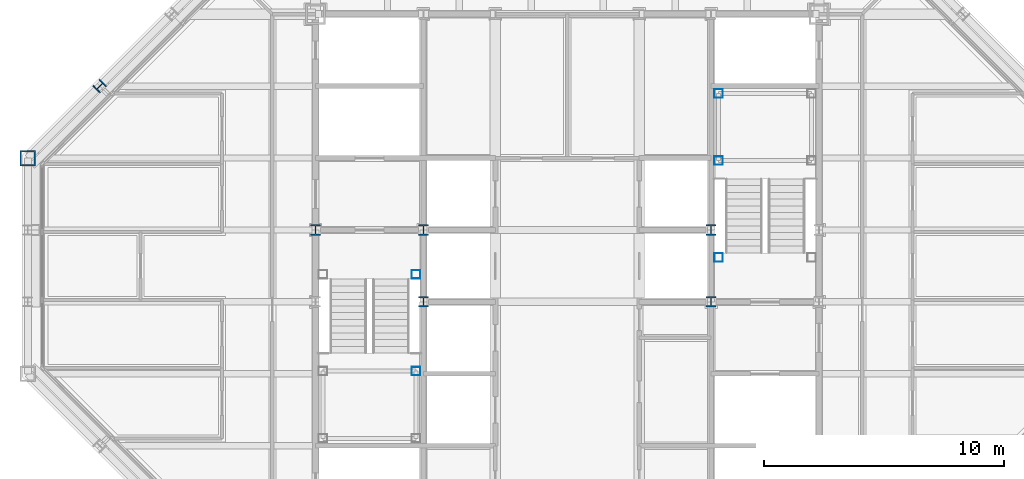
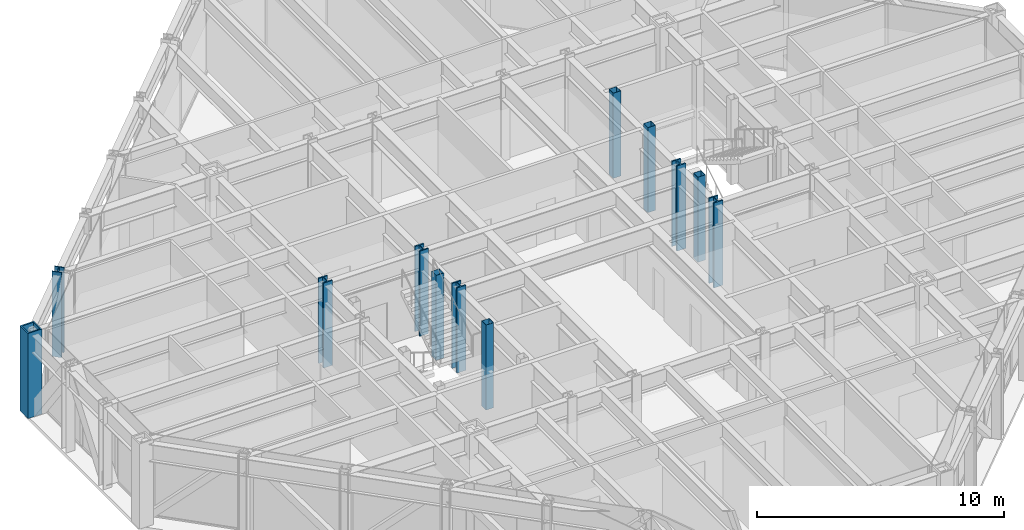
# One storey, part 2 of 15: 12 columns.
"""IFC4 building model written with IfcOpenShell, lengths in metres."""

from ifc_helpers import new_model, si_unit, direction, frame, origin, origin_2d, place, context, subcontext, project, spatial, hollow_rectangle, i_section, extrude, material, material_profile, profile_set, type_object, element, save


model = new_model("IFC4")

# Units and contexts
model_context = context("Model", 3, precision=1e-05, world=origin(), true_north=direction((0.0, 1.0)))
body_context = subcontext(model_context, "Body", "Model", "MODEL_VIEW")
ifc_project = project(units=[si_unit("LENGTHUNIT", "METRE"), si_unit("AREAUNIT", "SQUARE_METRE"), si_unit("VOLUMEUNIT", "CUBIC_METRE"), si_unit("PLANEANGLEUNIT", "RADIAN"), si_unit("MASSUNIT", "GRAM", prefix="KILO")], contexts=[model_context])

# Site, building, storey
site_placement = place(None, origin())
site = spatial("IfcSite", under=ifc_project, at=site_placement, CompositionType="ELEMENT")
building_placement = place(site_placement, origin())
building = spatial("IfcBuilding", under=site, at=building_placement, Name="Chuquiago Exchange Tower", CompositionType="ELEMENT")
storey_placement = place(building_placement, frame((0.0, 0.0, 295.800048828125)))
storey = spatial("IfcBuildingStorey", under=building, at=storey_placement, Name="L66", CompositionType="ELEMENT", Elevation=295.800048828125)

# Columns
ifc_material_1 = material(Name="Steel ASTM A992", Category="steel")
ifc_material_profile_1 = material_profile(ifc_material_1, i_section(OverallWidth=0.41650390625, OverallDepth=0.444580078125, WebThickness=0.0390625, FlangeThickness=0.062744140625, at=origin_2d()), Name="W14X342")
ifc_profile_set_1 = profile_set([ifc_material_profile_1], Name="Steel ASTM A992")
column_type_1 = type_object("IfcColumnType", Name="CC9 W14X342", PredefinedType="COLUMN", material=ifc_profile_set_1)
for number, where, z_axis, x_axis, name in (
    (1, (12.0, 24.0, 0.0), (0.0, 0.0, 1.0), (1.0, 0.0, 0.0), "CCOL-L66-12_24"),
    (2, (16.5, 21.0, 0.0), (0.0, 0.0, 1.0), (1.0, 0.0, 0.0), "CCOL-L66-16.5_21"),
    (3, (16.5, 24.0, 0.0), (0.0, 0.0, 1.0), (1.0, 0.0, 0.0), "CCOL-L66-16.5_24"),
    (4, (28.5, 21.0, 0.0), (0.0, 0.0, 1.0), (1.0, 0.0, 0.0), "CCOL-L66-28.5_21"),
    (5, (28.5, 24.0, 0.0), (0.0, 0.0, 1.0), (1.0, 0.0, 0.0), "CCOL-L66-28.5_24"),
):
    element("IfcColumn", number, at=place(storey_placement, frame(where, z_axis=z_axis, x_axis=x_axis)), inside=storey, type_object=column_type_1, Name=name, PredefinedType="COLUMN", context=body_context, shape_type="SweptSolid", body=[
        extrude(i_section(OverallWidth=0.41650390625, OverallDepth=0.444580078125, WebThickness=0.0390625, FlangeThickness=0.062744140625, at=origin_2d()), origin(), (0.0, 0.0, 1.0), 4.199951171875),
    ])
ifc_material_2 = material(Name="Steel ASTM A992", Category="steel")
ifc_material_profile_2 = material_profile(ifc_material_2, i_section(OverallWidth=0.40380859375, OverallDepth=0.406494140625, WebThickness=0.027099609375, FlangeThickness=0.043701171875, at=origin_2d()), Name="W14X233")
ifc_profile_set_2 = profile_set([ifc_material_profile_2], Name="Steel ASTM A992")
column_type_2 = type_object("IfcColumnType", Name="CK8 W14X233", PredefinedType="COLUMN", material=ifc_profile_set_2)
column_1_placement = place(storey_placement, frame((3.0, 30.0, 0.0), z_axis=(0.0, 0.0, 1.0), x_axis=(-0.707106781187, 0.707106781187, 0.0)))
element("IfcColumn", 6, at=column_1_placement, inside=storey, type_object=column_type_2, Name="COL-L66-3_30", PredefinedType="COLUMN", context=body_context, shape_type="SweptSolid", body=[
    extrude(i_section(OverallWidth=0.40380859375, OverallDepth=0.406494140625, WebThickness=0.027099609375, FlangeThickness=0.043701171875, at=origin_2d()), origin(), (0.0, 0.0, 1.0), 4.199951171875),
])
ifc_material_3 = material(Name="Steel ASTM A572 Grade 50", Category="steel")
ifc_material_profile_3 = material_profile(ifc_material_3, hollow_rectangle(XDim=0.64990234375, YDim=0.64990234375, WallThickness=0.06494140625, at=origin_2d()), Name="BOX650X650X65")
ifc_profile_set_3 = profile_set([ifc_material_profile_3], Name="Steel ASTM A572 Grade 50")
column_type_3 = type_object("IfcColumnType", Name="CN2 BOX650X650X65", PredefinedType="COLUMN", material=ifc_profile_set_3)
column_2_placement = place(storey_placement, frame((0.0, 27.0, 0.0), z_axis=(0.0, 0.0, 1.0), x_axis=(-1.0, 0.0, 0.0)))
element("IfcColumn", 7, at=column_2_placement, inside=storey, type_object=column_type_3, Name="COL-L66-0_27", PredefinedType="COLUMN", context=body_context, shape_type="SweptSolid", body=[
    extrude(hollow_rectangle(XDim=0.64990234375, YDim=0.64990234375, WallThickness=0.06494140625, at=origin_2d()), origin(), (0.0, 0.0, 1.0), 4.199951171875),
])
ifc_material_4 = material(Name="Steel ASTM A500 Grade C", Category="steel")
ifc_material_profile_4 = material_profile(ifc_material_4, hollow_rectangle(XDim=0.355712890625, YDim=0.355712890625, WallThickness=0.0087890625, at=origin_2d()), Name="HSS14X14X3/8")
ifc_profile_set_4 = profile_set([ifc_material_profile_4], Name="Steel ASTM A500 Grade C")
column_type_4 = type_object("IfcColumnType", Name="PT1 HSS14X14X3/8", PredefinedType="COLUMN", material=ifc_profile_set_4)
for number, where, z_axis, x_axis, name in (
    (8, (16.18994140625, 18.110107421875, 0.0), (0.0, 0.0, 1.0), (1.0, 0.0, 0.0), "Stair ST1 L66 landing post"),
    (9, (16.18994140625, 22.14990234375, 0.0), (0.0, 0.0, 1.0), (1.0, 0.0, 0.0), "Stair ST1 L66 landing post"),
    (10, (28.81005859375, 29.68994140625, 0.0), (0.0, 0.0, 1.0), (1.0, 0.0, 0.0), "Stair ST2 L66 landing post"),
    (11, (28.81005859375, 26.889892578125, 0.0), (0.0, 0.0, 1.0), (1.0, 0.0, 0.0), "Stair ST2 L66 landing post"),
    (12, (28.81005859375, 22.85009765625, 0.0), (0.0, 0.0, 1.0), (1.0, 0.0, 0.0), "Stair ST2 L66 landing post"),
):
    element("IfcColumn", number, at=place(storey_placement, frame(where, z_axis=z_axis, x_axis=x_axis)), inside=storey, type_object=column_type_4, Name=name, PredefinedType="COLUMN", context=body_context, shape_type="SweptSolid", body=[
        extrude(hollow_rectangle(XDim=0.355712890625, YDim=0.355712890625, WallThickness=0.0087890625, at=origin_2d()), origin(), (0.0, 0.0, 1.0), 4.199951171875),
    ])

save(model, "model.ifc")
